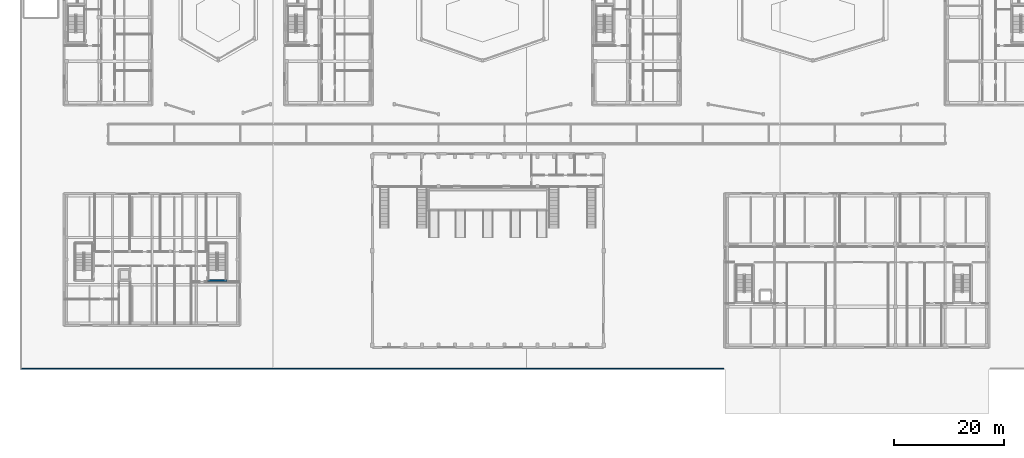
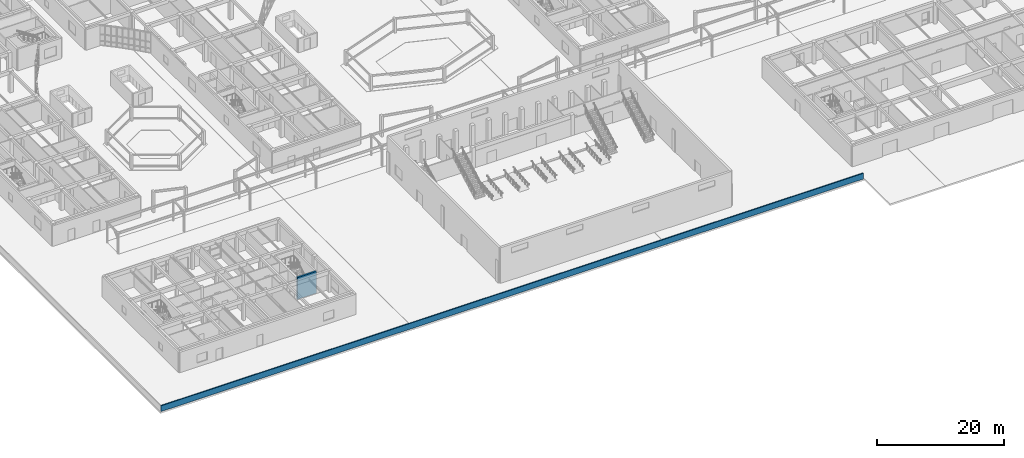
# One storey, part 73 of 114: 2 walls.
"""IFC4 building model written with IfcOpenShell, lengths in metres."""

from ifc_helpers import new_model, si_unit, direction, frame, frame_2d, origin, place, context, subcontext, project, spatial, rectangle, extrude, material, layer, layer_set, type_object, element, save


model = new_model("IFC4")

# Units and contexts
model_context = context("Model", 3, precision=1e-05, world=origin(), true_north=direction((0.0, 1.0)))
body_context = subcontext(model_context, "Body", "Model", "MODEL_VIEW")
ifc_project = project(units=[si_unit("LENGTHUNIT", "METRE"), si_unit("AREAUNIT", "SQUARE_METRE"), si_unit("VOLUMEUNIT", "CUBIC_METRE"), si_unit("PLANEANGLEUNIT", "RADIAN"), si_unit("MASSUNIT", "GRAM", prefix="KILO")], contexts=[model_context])

# Site, building, storey
site_placement = place(None, origin())
site = spatial("IfcSite", under=ifc_project, at=site_placement, CompositionType="ELEMENT")
building_placement = place(site_placement, origin())
building = spatial("IfcBuilding", under=site, at=building_placement, Name="Keldmere Railside Commons", CompositionType="ELEMENT")
storey_placement = place(building_placement, origin())
storey = spatial("IfcBuildingStorey", under=building, at=storey_placement, Name="L00", CompositionType="ELEMENT", Elevation=0.0)

# Walls
ifc_material_1 = material(Name="Concrete H-35 (C35/45)", Category="concrete")
ifc_layer_1 = layer(ifc_material_1, 0.300048828125, Name="Interior Shear Wall 300")
ifc_layer_set_1 = layer_set([ifc_layer_1], Name="Concrete H-35 (C35/45)")
wall_type_1 = type_object("IfcWallType", Name="Interior Shear Wall 300", PredefinedType="SHEAR", material=ifc_layer_set_1)
wall_1_placement = place(storey_placement, frame((34.10009765625, 24.14990234375, 0.0), z_axis=(0.0, 0.0, 1.0), x_axis=(1.0, 0.0, 0.0)))
element("IfcWall", 1, at=wall_1_placement, inside=storey, type_object=wall_type_1, Name="ISW-2 WAL-ST-N2-L00-S", PredefinedType="SHEAR", context=body_context, shape_type="SweptSolid", body=[
    extrude(rectangle(XDim=3.449951171875, YDim=0.300048828125, at=frame_2d((1.72509765625, 0.0))), origin(), (0.0, 0.0, 1.0), 4.159912109375),
])
ifc_material_2 = material(Name="Architectural Precast Concrete H-35 (C35/45)", Category="concrete")
ifc_layer_2 = layer(ifc_material_2, 0.18994140625, Name="Roof Parapet Wall 190")
ifc_layer_set_2 = layer_set([ifc_layer_2], Name="Architectural Precast Concrete H-35 (C35/45)")
wall_type_2 = type_object("IfcWallType", Name="Roof Parapet Wall 190", PredefinedType="PARAPET", material=ifc_layer_set_2)
wall_2_placement = place(storey_placement, frame((0.14990234375, 8.14990234375, 0.0), z_axis=(0.0, 0.0, 1.0), x_axis=(1.0, 0.0, 0.0)))
element("IfcWall", 2, at=wall_2_placement, inside=storey, type_object=wall_type_2, Name="PW-1 PLP-L00-0010", PredefinedType="PARAPET", context=body_context, shape_type="SweptSolid", body=[
    extrude(rectangle(XDim=127.650146484375, YDim=0.18994140625, at=frame_2d((63.8251953125, 0.0))), origin(), (0.0, 0.0, 1.0), 1.10009765625),
])

save(model, "model.ifc")
